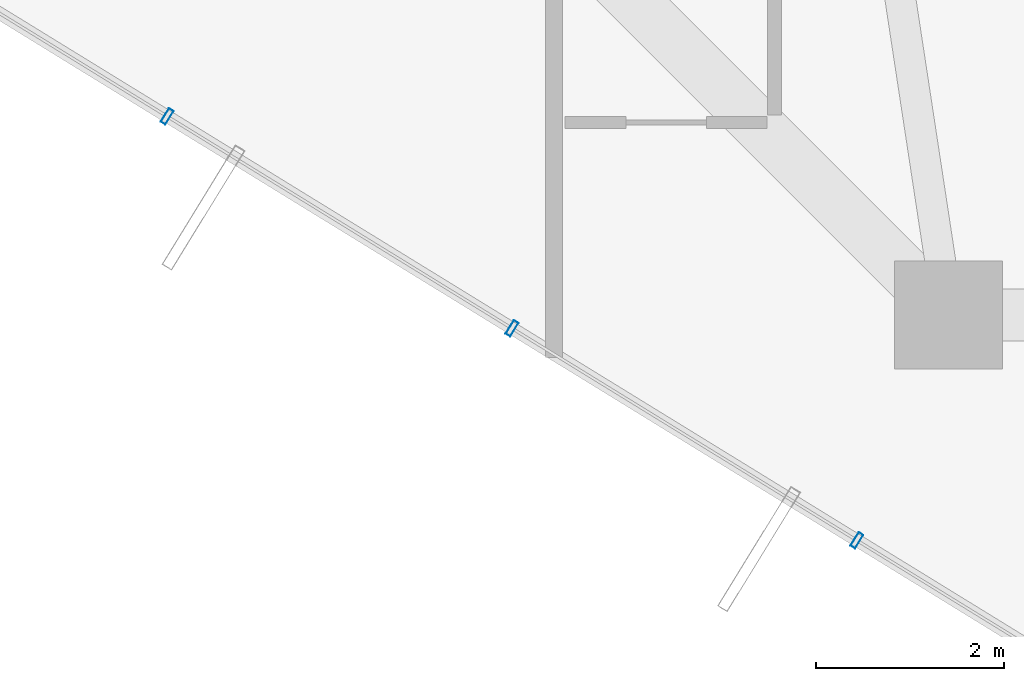
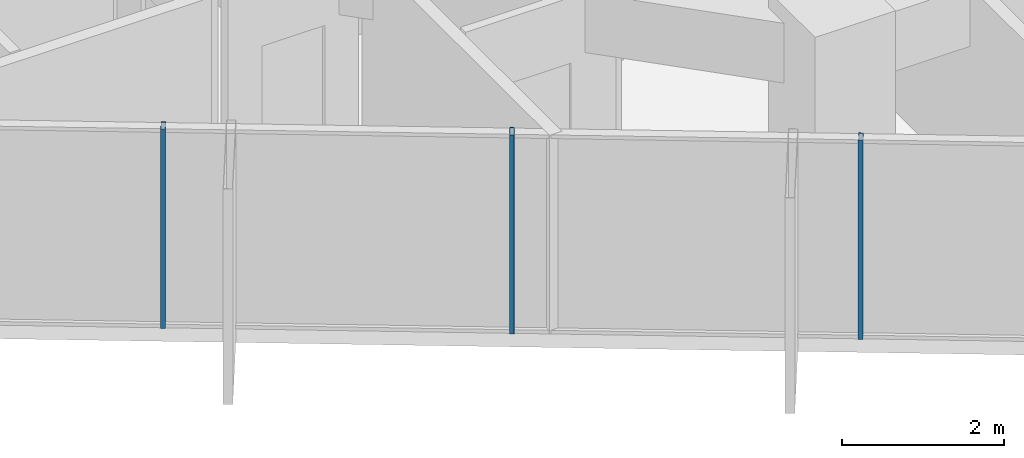
# One storey, part 2 of 30: 3 members, 1 element without a shape of its own.
"""IFC4 building model written with IfcOpenShell, lengths in metres."""

from ifc_helpers import new_model, si_unit, direction, frame, origin, origin_2d, place, context, subcontext, project, spatial, hollow_rectangle, extrude, source, transform, mapped, material, layer, layer_set, material_profile, profile_set, type_object, element, aggregate, save


model = new_model("IFC4")

# Units and contexts
model_context = context("Model", 3, precision=1e-05, world=origin(), true_north=direction((0.0, 1.0)))
body_context = subcontext(model_context, "Body", "Model", "MODEL_VIEW")
ifc_project = project(units=[si_unit("LENGTHUNIT", "METRE"), si_unit("AREAUNIT", "SQUARE_METRE"), si_unit("VOLUMEUNIT", "CUBIC_METRE"), si_unit("PLANEANGLEUNIT", "RADIAN"), si_unit("MASSUNIT", "GRAM", prefix="KILO")], contexts=[model_context])

# Site, building, storey
site_placement = place(None, origin())
site = spatial("IfcSite", under=ifc_project, at=site_placement, CompositionType="ELEMENT")
building_placement = place(site_placement, origin())
building = spatial("IfcBuilding", under=site, at=building_placement, Name="Veraguas Prism Commons", CompositionType="ELEMENT")
storey_placement = place(building_placement, frame((0.0, 0.0, 123.0)))
storey = spatial("IfcBuildingStorey", under=building, at=storey_placement, Name="L34", CompositionType="ELEMENT", Elevation=123.0)

# Curtain wall, members
ifc_material = material(Name="Anodised aluminium EN AW-6063 T6", Category="aluminium")
ifc_layer = layer(ifc_material, 0.169921875, Name="Unitised Flush Curtain Wall Zone 2", Category="aluminium")
ifc_layer_set = layer_set([ifc_layer], Name="Anodised aluminium EN AW-6063 T6")
curtain_wall_type = type_object("IfcCurtainWallType", Name="Unitised Flush Curtain Wall Zone 2", PredefinedType="NOTDEFINED", material=ifc_layer_set)
curtain_wall_placement = place(storey_placement, origin())
curtain_wall = element("IfcCurtainWall", 1, at=curtain_wall_placement, inside=storey, type_object=curtain_wall_type, Name="Tower Facade Curtain Wall L34-F4", PredefinedType="NOTDEFINED")
ifc_material_profile = material_profile(ifc_material, hollow_rectangle(XDim=0.06005859375, YDim=0.169921875, WallThickness=0.00390625, at=origin_2d()), Name="AL60X170X4")
ifc_profile_set = profile_set([ifc_material_profile], Name="Anodised aluminium EN AW-6063 T6")
member_type = type_object("IfcMemberType", Name="Curtain Wall Mullion Lower AL 60x170x4", PredefinedType="MULLION", material=ifc_profile_set)
shared_shape = source(origin(), body_context, "Body", "SweptSolid", [
    extrude(hollow_rectangle(XDim=0.06005859375, YDim=0.169921875, WallThickness=0.00390625, at=origin_2d()), origin(), (0.0, 0.0, 1.0), 3.0),
])
member_1_placement = place(storey_placement, frame((10.283935546875, 9.91455078125, 0.0), z_axis=(0.0, 0.0, 1.0), x_axis=(0.851907959812, -0.523691538989, 0.0)))
member_1 = element("IfcMember", 2, at=member_1_placement, type_object=member_type, Name="CW-Z2 Mullion 2", PredefinedType="MULLION", context=body_context, shape_type="MappedRepresentation", body=[
    mapped(shared_shape, transform((0.0, 0.0, 0.0), scale=1.0)),
])
member_2_placement = place(storey_placement, frame((13.954345703125, 7.658203125, 0.0), z_axis=(0.0, 0.0, 1.0), x_axis=(0.851907959812, -0.523691538989, 0.0)))
member_2 = element("IfcMember", 3, at=member_2_placement, type_object=member_type, Name="CW-Z2 Mullion 3", PredefinedType="MULLION", context=body_context, shape_type="MappedRepresentation", body=[
    mapped(shared_shape, transform((0.0, 0.0, 0.0), scale=1.0)),
])
member_3_placement = place(storey_placement, frame((17.624755859375, 5.40185546875, 0.0), z_axis=(0.0, 0.0, 1.0), x_axis=(0.851907959812, -0.523691538989, 0.0)))
member_3 = element("IfcMember", 4, at=member_3_placement, type_object=member_type, Name="CW-Z2 Mullion 4", PredefinedType="MULLION", context=body_context, shape_type="MappedRepresentation", body=[
    mapped(shared_shape, transform((0.0, 0.0, 0.0), scale=1.0)),
])
aggregate(curtain_wall, [member_1, member_2, member_3])

save(model, "model.ifc")
